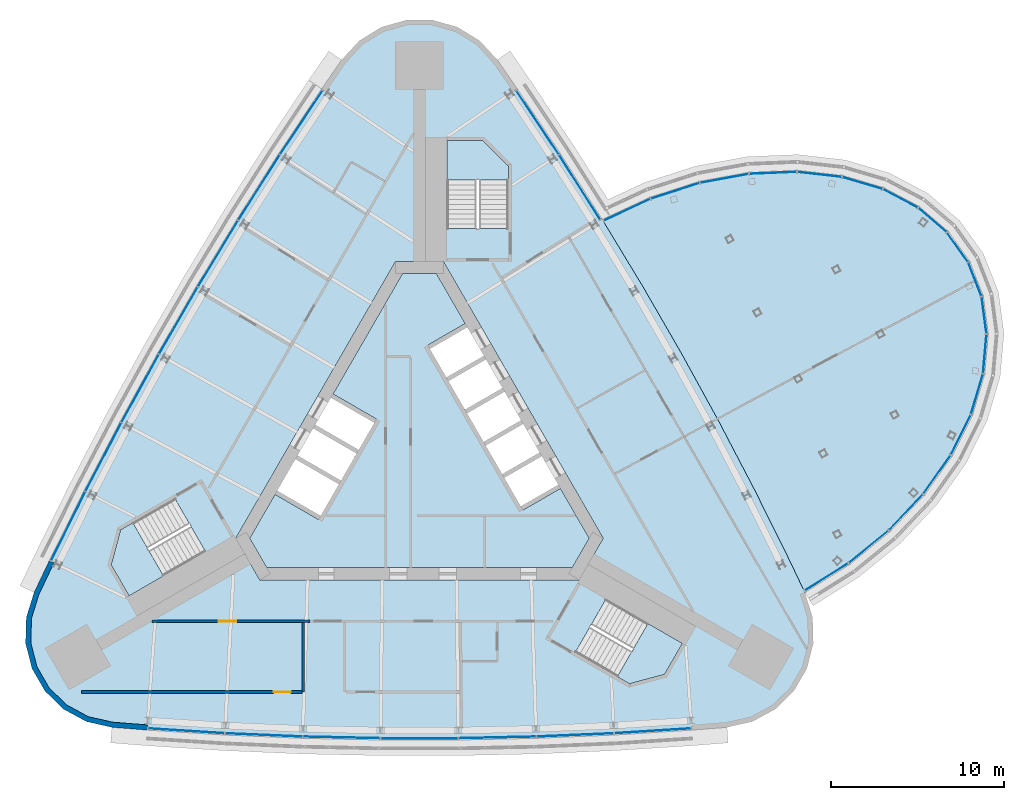
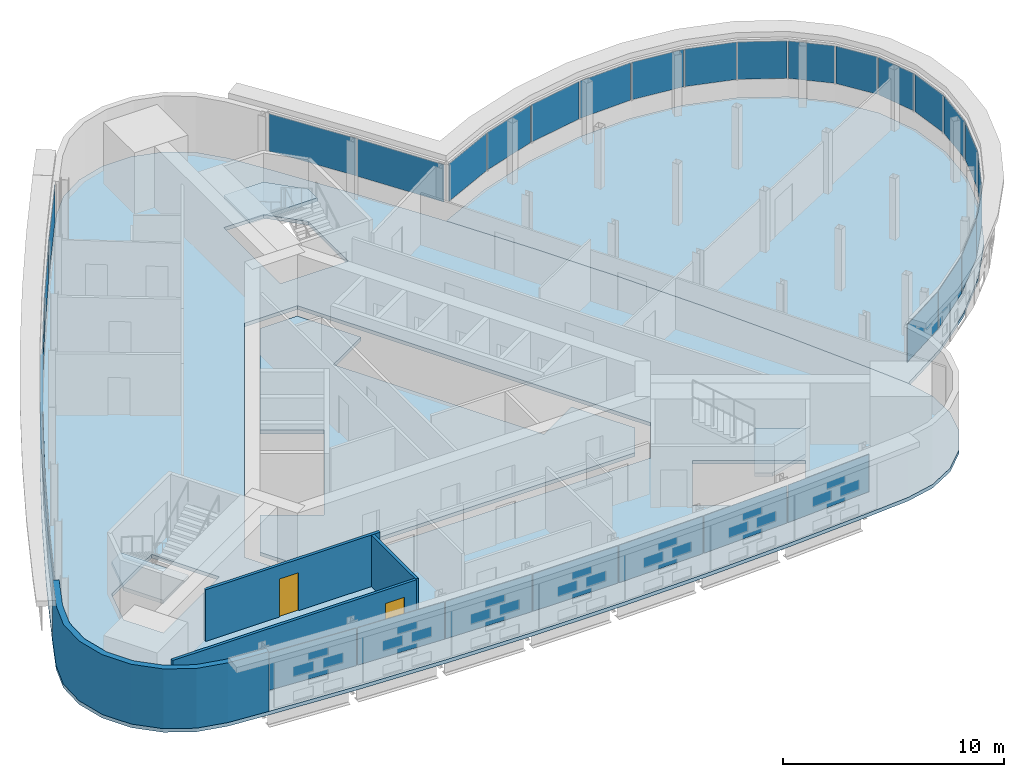
# One storey, part 9 of 15: 34 plates, 6 slabs, 4 walls, 2 doors, 2 openings, 7 elements without a shape of their own.
"""IFC4 building model written with IfcOpenShell, lengths in metres."""

from ifc_helpers import new_model, si_unit, direction, frame, frame_2d, origin, origin_2d, place, context, subcontext, project, spatial, polyline, rectangle, outline, extrude, material, layer, layer_set, type_object, element, fill, aggregate, save


model = new_model("IFC4")

# Units and contexts
model_context = context("Model", 3, precision=1e-05, world=origin(), true_north=direction((0.0, 1.0)))
body_context = subcontext(model_context, "Body", "Model", "MODEL_VIEW")
ifc_project = project(units=[si_unit("LENGTHUNIT", "METRE"), si_unit("AREAUNIT", "SQUARE_METRE"), si_unit("VOLUMEUNIT", "CUBIC_METRE"), si_unit("PLANEANGLEUNIT", "RADIAN"), si_unit("MASSUNIT", "GRAM", prefix="KILO")], contexts=[model_context])

# Site, building, storey
site_placement = place(None, origin())
site = spatial("IfcSite", under=ifc_project, at=site_placement, CompositionType="ELEMENT")
building_placement = place(site_placement, origin())
building = spatial("IfcBuilding", under=site, at=building_placement, Name="Noor Cloister Tower", CompositionType="ELEMENT")
storey_placement = place(building_placement, frame((0.0, 0.0, 174.300048828125)))
storey = spatial("IfcBuildingStorey", under=building, at=storey_placement, Name="L44", CompositionType="ELEMENT", Elevation=174.300048828125)

# Slabs
ifc_material_1 = material(Name="Concrete C40/50", Category="concrete")
ifc_layer_1 = layer(ifc_material_1, 0.199951171875)
ifc_layer_set_1 = layer_set([ifc_layer_1], Name="Core floor slab 200 C40/50")
slab_type_1 = type_object("IfcSlabType", Name="Core floor slab 200 C40/50", PredefinedType="FLOOR", material=ifc_layer_set_1)
slab_1_placement = place(storey_placement, frame((0.0, 0.0, -0.199951171875)))
element("IfcSlab", 1, at=slab_1_placement, inside=storey, type_object=slab_type_1, Name="Core floor L44", PredefinedType="FLOOR", context=body_context, shape_type="SweptSolid", body=[
    extrude(outline(polyline([(2.643798828125, 7.877197265625), (0.9814453125, 10.75634765625), (-0.9814453125, 10.75634765625), (-4.993896484375, 3.806884765625), (-2.482421875, 2.35693359375), (-5.832275390625, -3.4453125), (-8.34375, -1.995361328125), (-9.80615234375, -4.5283203125), (-8.82470703125, -6.228271484375), (8.82470703125, -6.228271484375), (9.80615234375, -4.5283203125), (8.143798828125, -1.64892578125), (5.978759765625, -2.89892578125), (0.478759765625, 6.627197265625), (2.643798828125, 7.877197265625)])), origin(), (0.0, 0.0, 1.0), 0.199951171875),
])
ifc_material_2 = material(Name="Concrete C40/50", Category="concrete")
ifc_layer_2 = layer(ifc_material_2, 0.199951171875)
ifc_layer_set_2 = layer_set([ifc_layer_2], Name="Floor slab 200 C40/50")
slab_type_2 = type_object("IfcSlabType", Name="Floor slab 200 C40/50", PredefinedType="FLOOR", material=ifc_layer_set_2)
slab_2_placement = place(storey_placement, frame((0.0, 0.0, -0.199951171875)))
element("IfcSlab", 2, at=slab_2_placement, inside=storey, type_object=slab_type_2, Name="Floor slab L44", PredefinedType="FLOOR", context=body_context, shape_type="SweptSolid", body=[
    extrude(outline(polyline([(4.496826171875, 23.113037109375), (3.47802734375, 24.2177734375), (2.197509765625, 25.00390625), (0.751220703125, 25.412353515625), (-0.751220703125, 25.412353515625), (-2.197509765625, 25.00390625), (-3.47802734375, 24.2177734375), (-4.496826171875, 23.113037109375), (-5.65234375, 21.43310546875), (-8.145263671875, 17.68701171875), (-10.55810546875, 13.888671875), (-12.89013671875, 10.0400390625), (-15.14013671875, 6.14306640625), (-17.30712890625, 2.19921875), (-19.389892578125, -1.78955078125), (-21.387939453125, -5.821533203125), (-22.264892578125, -7.662353515625), (-22.712158203125, -9.096923828125), (-22.752685546875, -10.598876953125), (-22.38330078125, -12.055419921875), (-21.632080078125, -13.35693359375), (-20.55517578125, -14.405029296875), (-19.234130859375, -15.120849609375), (-17.76806640625, -15.450927734375), (-15.735595703125, -15.611572265625), (-11.24462890625, -15.8974609375), (-6.748779296875, -16.087890625), (-2.25, -16.183349609375), (2.25, -16.183349609375), (6.748779296875, -16.087890625), (11.24462890625, -15.8974609375), (15.735595703125, -15.611572265625), (17.76806640625, -15.450927734375), (19.234130859375, -15.120849609375), (20.55517578125, -14.405029296875), (21.632080078125, -13.35693359375), (22.38330078125, -12.055419921875), (22.752685546875, -10.598876953125), (22.712158203125, -9.096923828125), (22.264892578125, -7.662353515625), (21.387939453125, -5.821533203125), (19.389892578125, -1.78955078125), (17.30712890625, 2.19921875), (15.14013671875, 6.14306640625), (12.89013671875, 10.0400390625), (10.55810546875, 13.888671875), (8.145263671875, 17.68701171875), (5.65234375, 21.43310546875), (4.496826171875, 23.113037109375)]), holes=[polyline([(8.999755859375, -11.126220703125), (12.131591796875, -12.934326171875), (14.1572265625, -12.3916015625), (15.19091796875, -10.601318359375), (10.774658203125, -8.0517578125), (8.999755859375, -11.126220703125)]), polyline([(-17.81005859375, -6.064697265625), (-16.776611328125, -7.85498046875), (-12.3603515625, -5.305419921875), (-14.13525390625, -2.23095703125), (-16.662841796875, -3.690185546875), (-17.267333984375, -4.039306640625), (-17.81005859375, -6.064697265625)]), polyline([(-10.6142578125, -4.5283203125), (-9.228759765625, -6.92822265625), (9.228759765625, -6.92822265625), (10.6142578125, -4.5283203125), (1.3857421875, 11.456298828125), (-1.3857421875, 11.456298828125), (-10.6142578125, -4.5283203125)]), polyline([(3.65283203125, 18.456298828125), (1.585693359375, 18.456298828125), (1.585693359375, 13.35693359375), (5.135498046875, 13.35693359375), (5.135498046875, 16.9736328125), (3.65283203125, 18.456298828125)])]), origin(), (0.0, 0.0, 1.0), 0.199951171875),
])

# Curtain wall, plates
ifc_material_3 = material(Name="Aluminium 6063-T6 anodised", Category="aluminium")
curtain_wall_type_1 = type_object("IfcCurtainWallType", Name="Sky bar curtain wall, lower bars CW2", PredefinedType="NOTDEFINED", material=ifc_material_3)
curtain_wall_1_placement = place(storey_placement, origin())
curtain_wall_1 = element("IfcCurtainWall", 3, at=curtain_wall_1_placement, inside=storey, type_object=curtain_wall_type_1, Name="CW2 L44 NE sky bar run 3", PredefinedType="NOTDEFINED")
ifc_material_4 = material(Name="Clear laminated glass 2 x 8 mm", Category="glass")
ifc_layer_3 = layer(ifc_material_4, 0.028076171875)
ifc_layer_set_3 = layer_set([ifc_layer_3], Name="Glass panel CW2")
plate_type_1 = type_object("IfcPlateType", Name="Glass panel CW2", PredefinedType="CURTAIN_PANEL", material=ifc_layer_set_3)
plate_1_placement = place(storey_placement, frame((23.516845703125, -6.761474609375, 1.08984375), z_axis=(0.0, 0.0, 1.0), x_axis=(0.84786689891, 0.530209130186, 0.0)))
plate_1 = element("IfcPlate", 4, at=plate_1_placement, type_object=plate_type_1, Name="CW2 glass panel 1", PredefinedType="CURTAIN_PANEL", context=body_context, shape_type="SweptSolid", body=[
    extrude(rectangle(XDim=2.938232421875, YDim=0.028076171875, at=origin_2d()), origin(), (0.0, 0.0, 1.0), 2.070068359375),
])
plate_2_placement = place(storey_placement, frame((25.945556640625, -5.024169921875, 1.08984375), z_axis=(0.0, 0.0, 1.0), x_axis=(0.775546572159, 0.63129035666, 0.0)))
plate_2 = element("IfcPlate", 5, at=plate_2_placement, type_object=plate_type_1, Name="CW2 glass panel 2", PredefinedType="CURTAIN_PANEL", context=body_context, shape_type="SweptSolid", body=[
    extrude(rectangle(XDim=2.925048828125, YDim=0.028076171875, at=origin_2d()), origin(), (0.0, 0.0, 1.0), 2.070068359375),
])
plate_3_placement = place(storey_placement, frame((28.09765625, -3.0302734375, 1.08984375), z_axis=(0.0, 0.0, 1.0), x_axis=(0.68700661368, 0.726651163049, 0.0)))
plate_3 = element("IfcPlate", 6, at=plate_3_placement, type_object=plate_type_1, Name="CW2 glass panel 3", PredefinedType="CURTAIN_PANEL", context=body_context, shape_type="SweptSolid", body=[
    extrude(rectangle(XDim=2.834716796875, YDim=0.028076171875, at=origin_2d()), origin(), (0.0, 0.0, 1.0), 2.070068359375),
])
plate_4_placement = place(storey_placement, frame((29.89306640625, -0.849365234375, 1.08984375), z_axis=(0.0, 0.0, 1.0), x_axis=(0.578620922196, 0.815596608868, 0.0)))
plate_4 = element("IfcPlate", 7, at=plate_4_placement, type_object=plate_type_1, Name="CW2 glass panel 4", PredefinedType="CURTAIN_PANEL", context=body_context, shape_type="SweptSolid", body=[
    extrude(rectangle(XDim=2.708251953125, YDim=0.028076171875, at=origin_2d()), origin(), (0.0, 0.0, 1.0), 2.070068359375),
])
plate_5_placement = place(storey_placement, frame((31.27734375, 1.451171875, 1.08984375), z_axis=(0.0, 0.0, 1.0), x_axis=(0.445709448306, 0.895177684982, 0.0)))
plate_5 = element("IfcPlate", 8, at=plate_5_placement, type_object=plate_type_1, Name="CW2 glass panel 5", PredefinedType="CURTAIN_PANEL", context=body_context, shape_type="SweptSolid", body=[
    extrude(rectangle(XDim=2.55712890625, YDim=0.028076171875, at=origin_2d()), origin(), (0.0, 0.0, 1.0), 2.070068359375),
])
plate_6_placement = place(storey_placement, frame((32.208740234375, 3.800537109375, 1.08984375), z_axis=(0.0, 0.0, 1.0), x_axis=(0.283470890203, 0.958980841523, 0.0)))
plate_6 = element("IfcPlate", 9, at=plate_6_placement, type_object=plate_type_1, Name="CW2 glass panel 6", PredefinedType="CURTAIN_PANEL", context=body_context, shape_type="SweptSolid", body=[
    extrude(rectangle(XDim=2.396240234375, YDim=0.028076171875, at=origin_2d()), origin(), (0.0, 0.0, 1.0), 2.070068359375),
])
plate_7_placement = place(storey_placement, frame((32.66015625, 6.126953125, 1.08984375), z_axis=(0.0, 0.0, 1.0), x_axis=(0.089432915774, 0.995992848155, 0.0)))
plate_7 = element("IfcPlate", 10, at=plate_7_placement, type_object=plate_type_1, Name="CW2 glass panel 7", PredefinedType="CURTAIN_PANEL", context=body_context, shape_type="SweptSolid", body=[
    extrude(rectangle(XDim=2.24560546875, YDim=0.028076171875, at=origin_2d()), origin(), (0.0, 0.0, 1.0), 2.070068359375),
])
plate_8_placement = place(storey_placement, frame((32.618896484375, 8.359130859375, 1.08984375), z_axis=(0.0, 0.0, 1.0), x_axis=(-0.131998823771, 0.991249872899, 0.0)))
plate_8 = element("IfcPlate", 11, at=plate_8_placement, type_object=plate_type_1, Name="CW2 glass panel 8", PredefinedType="CURTAIN_PANEL", context=body_context, shape_type="SweptSolid", body=[
    extrude(rectangle(XDim=2.126708984375, YDim=0.028076171875, at=origin_2d()), origin(), (0.0, 0.0, 1.0), 2.070068359375),
])
plate_9_placement = place(storey_placement, frame((32.087646484375, 10.430908203125, 1.08984375), z_axis=(0.0, 0.0, 1.0), x_axis=(-0.364789260282, 0.931090111419, 0.0)))
plate_9 = element("IfcPlate", 12, at=plate_9_placement, type_object=plate_type_1, Name="CW2 glass panel 9", PredefinedType="CURTAIN_PANEL", context=body_context, shape_type="SweptSolid", body=[
    extrude(rectangle(XDim=2.060791015625, YDim=0.028076171875, at=origin_2d()), origin(), (0.0, 0.0, 1.0), 2.070068359375),
])
plate_10_placement = place(storey_placement, frame((31.082763671875, 12.280517578125, 1.08984375), z_axis=(0.0, 0.0, 1.0), x_axis=(-0.582524001804, 0.812813500947, 0.0)))
plate_10 = element("IfcPlate", 13, at=plate_10_placement, type_object=plate_type_1, Name="CW2 glass panel 10", PredefinedType="CURTAIN_PANEL", context=body_context, shape_type="SweptSolid", body=[
    extrude(rectangle(XDim=2.060791015625, YDim=0.028076171875, at=origin_2d()), origin(), (0.0, 0.0, 1.0), 2.070068359375),
])
plate_11_placement = place(storey_placement, frame((29.634033203125, 13.853759765625, 1.08984375), z_axis=(0.0, 0.0, 1.0), x_axis=(-0.759700094363, 0.650273609049, 0.0)))
plate_11 = element("IfcPlate", 14, at=plate_11_placement, type_object=plate_type_1, Name="CW2 glass panel 11", PredefinedType="CURTAIN_PANEL", context=body_context, shape_type="SweptSolid", body=[
    extrude(rectangle(XDim=2.126708984375, YDim=0.028076171875, at=origin_2d()), origin(), (0.0, 0.0, 1.0), 2.070068359375),
])
plate_12_placement = place(storey_placement, frame((27.78369140625, 15.103515625, 1.08984375), z_axis=(0.0, 0.0, 1.0), x_axis=(-0.884205134097, 0.467098791303, 0.0)))
plate_12 = element("IfcPlate", 15, at=plate_12_placement, type_object=plate_type_1, Name="CW2 glass panel 12", PredefinedType="CURTAIN_PANEL", context=body_context, shape_type="SweptSolid", body=[
    extrude(rectangle(XDim=2.24560546875, YDim=0.028076171875, at=origin_2d()), origin(), (0.0, 0.0, 1.0), 2.070068359375),
])
plate_13_placement = place(storey_placement, frame((25.586669921875, 15.9912109375, 1.08984375), z_axis=(0.0, 0.0, 1.0), x_axis=(-0.958771871312, 0.284176879393, 0.0)))
plate_13 = element("IfcPlate", 16, at=plate_13_placement, type_object=plate_type_1, Name="CW2 glass panel 13", PredefinedType="CURTAIN_PANEL", context=body_context, shape_type="SweptSolid", body=[
    extrude(rectangle(XDim=2.396240234375, YDim=0.028076171875, at=origin_2d()), origin(), (0.0, 0.0, 1.0), 2.070068359375),
])
plate_14_placement = place(storey_placement, frame((23.108642578125, 16.488525390625, 1.08984375), z_axis=(0.0, 0.0, 1.0), x_axis=(-0.993555280194, 0.11334860034, 0.0)))
plate_14 = element("IfcPlate", 17, at=plate_14_placement, type_object=plate_type_1, Name="CW2 glass panel 14", PredefinedType="CURTAIN_PANEL", context=body_context, shape_type="SweptSolid", body=[
    extrude(rectangle(XDim=2.55712890625, YDim=0.028076171875, at=origin_2d()), origin(), (0.0, 0.0, 1.0), 2.070068359375),
])
plate_15_placement = place(storey_placement, frame((20.425537109375, 16.57958984375, 1.08984375), z_axis=(0.0, 0.0, 1.0), x_axis=(-0.999139934485, -0.041465543728, 0.0)))
plate_15 = element("IfcPlate", 18, at=plate_15_placement, type_object=plate_type_1, Name="CW2 glass panel 15", PredefinedType="CURTAIN_PANEL", context=body_context, shape_type="SweptSolid", body=[
    extrude(rectangle(XDim=2.708251953125, YDim=0.028076171875, at=origin_2d()), origin(), (0.0, 0.0, 1.0), 2.070068359375),
])
plate_16_placement = place(storey_placement, frame((17.61865234375, 16.26025390625, 1.08984375), z_axis=(0.0, 0.0, 1.0), x_axis=(-0.983519444247, -0.180802386011, 0.0)))
plate_16 = element("IfcPlate", 19, at=plate_16_placement, type_object=plate_type_1, Name="CW2 glass panel 16", PredefinedType="CURTAIN_PANEL", context=body_context, shape_type="SweptSolid", body=[
    extrude(rectangle(XDim=2.834716796875, YDim=0.028076171875, at=origin_2d()), origin(), (0.0, 0.0, 1.0), 2.070068359375),
])
plate_17_placement = place(storey_placement, frame((14.774658203125, 15.54052734375, 1.08984375), z_axis=(0.0, 0.0, 1.0), x_axis=(-0.951715077385, -0.306982754367, 0.0)))
plate_17 = element("IfcPlate", 20, at=plate_17_placement, type_object=plate_type_1, Name="CW2 glass panel 17", PredefinedType="CURTAIN_PANEL", context=body_context, shape_type="SweptSolid", body=[
    extrude(rectangle(XDim=2.925048828125, YDim=0.028076171875, at=origin_2d()), origin(), (0.0, 0.0, 1.0), 2.070068359375),
])
plate_18_placement = place(storey_placement, frame((11.995361328125, 14.448486328125, 1.08984375), z_axis=(0.0, 0.0, 1.0), x_axis=(-0.906283503485, -0.42267033408, 0.0)))
plate_18 = element("IfcPlate", 21, at=plate_18_placement, type_object=plate_type_1, Name="CW2 glass panel 18", PredefinedType="CURTAIN_PANEL", context=body_context, shape_type="SweptSolid", body=[
    extrude(rectangle(XDim=2.938232421875, YDim=0.028076171875, at=origin_2d()), origin(), (0.0, 0.0, 1.0), 2.070068359375),
])
aggregate(curtain_wall_1, [plate_1, plate_2, plate_3, plate_4, plate_5, plate_6, plate_7, plate_8, plate_9, plate_10, plate_11, plate_12, plate_13, plate_14, plate_15, plate_16, plate_17, plate_18])

ifc_material_5 = material(Name="Aluminium 6063-T6 anodised", Category="aluminium")
curtain_wall_type_2 = type_object("IfcCurtainWallType", Name="Ribbon curtain wall, upper tower CW5", PredefinedType="NOTDEFINED", material=ifc_material_5)
curtain_wall_2_placement = place(storey_placement, origin())
curtain_wall_2 = element("IfcCurtainWall", 22, at=curtain_wall_2_placement, inside=storey, type_object=curtain_wall_type_2, Name="CW5 L44 NW run 1", PredefinedType="NOTDEFINED")
ifc_material_6 = material(Name="Clear laminated glass 2 x 8 mm", Category="glass")
ifc_layer_4 = layer(ifc_material_6, 0.028076171875)
ifc_layer_set_4 = layer_set([ifc_layer_4], Name="Glass panel CW5")
plate_type_2 = type_object("IfcPlateType", Name="Glass panel CW5", PredefinedType="CURTAIN_PANEL", material=ifc_layer_set_4)
plate_19_placement = place(storey_placement, frame((-6.824951171875, 19.490478515625, 1.08984375), z_axis=(0.0, 0.0, 1.0), x_axis=(-0.553985210309, -0.832526508142, 0.0)))
plate_19 = element("IfcPlate", 23, at=plate_19_placement, type_object=plate_type_2, Name="CW5 glass panel 1", PredefinedType="CURTAIN_PANEL", context=body_context, shape_type="SweptSolid", body=[
    extrude(rectangle(XDim=4.413818359375, YDim=0.028076171875, at=origin_2d()), origin(), (0.0, 0.0, 1.0), 2.070068359375),
])
plate_20_placement = place(storey_placement, frame((-9.267333984375, 15.734130859375, 1.08984375), z_axis=(0.0, 0.0, 1.0), x_axis=(-0.536228033426, -0.844073158066, 0.0)))
plate_20 = element("IfcPlate", 24, at=plate_20_placement, type_object=plate_type_2, Name="CW5 glass panel 2", PredefinedType="CURTAIN_PANEL", context=body_context, shape_type="SweptSolid", body=[
    extrude(rectangle(XDim=4.44775390625, YDim=0.028076171875, at=origin_2d()), origin(), (0.0, 0.0, 1.0), 2.070068359375),
])
plate_21_placement = place(storey_placement, frame((-11.638671875, 11.91259765625, 1.08984375), z_axis=(0.0, 0.0, 1.0), x_axis=(-0.518230266954, -0.855241129982, 0.0)))
plate_21 = element("IfcPlate", 25, at=plate_21_placement, type_object=plate_type_2, Name="CW5 glass panel 3", PredefinedType="CURTAIN_PANEL", context=body_context, shape_type="SweptSolid", body=[
    extrude(rectangle(XDim=4.44775390625, YDim=0.028076171875, at=origin_2d()), origin(), (0.0, 0.0, 1.0), 2.070068359375),
])
plate_22_placement = place(storey_placement, frame((-13.928466796875, 8.041748046875, 1.08984375), z_axis=(0.0, 0.0, 1.0), x_axis=(-0.5, -0.866025403784, 0.0)))
plate_22 = element("IfcPlate", 26, at=plate_22_placement, type_object=plate_type_2, Name="CW5 glass panel 4", PredefinedType="CURTAIN_PANEL", context=body_context, shape_type="SweptSolid", body=[
    extrude(rectangle(XDim=4.44775390625, YDim=0.028076171875, at=origin_2d()), origin(), (0.0, 0.0, 1.0), 2.070068359375),
])
plate_23_placement = place(storey_placement, frame((-16.135986328125, 4.123046875, 1.08984375), z_axis=(0.0, 0.0, 1.0), x_axis=(-0.481545411448, -0.876421141183, 0.0)))
plate_23 = element("IfcPlate", 27, at=plate_23_placement, type_object=plate_type_2, Name="CW5 glass panel 5", PredefinedType="CURTAIN_PANEL", context=body_context, shape_type="SweptSolid", body=[
    extrude(rectangle(XDim=4.44775390625, YDim=0.028076171875, at=origin_2d()), origin(), (0.0, 0.0, 1.0), 2.070068359375),
])
plate_24_placement = place(storey_placement, frame((-18.259765625, 0.15869140625, 1.08984375), z_axis=(0.0, 0.0, 1.0), x_axis=(-0.462874780825, -0.886423678201, 0.0)))
plate_24 = element("IfcPlate", 28, at=plate_24_placement, type_object=plate_type_2, Name="CW5 glass panel 6", PredefinedType="CURTAIN_PANEL", context=body_context, shape_type="SweptSolid", body=[
    extrude(rectangle(XDim=4.44775390625, YDim=0.028076171875, at=origin_2d()), origin(), (0.0, 0.0, 1.0), 2.070068359375),
])
plate_25_placement = place(storey_placement, frame((-20.291748046875, -3.834716796875, 1.08984375), z_axis=(0.0, 0.0, 1.0), x_axis=(-0.44399650022, -0.89602851952, 0.0)))
plate_25 = element("IfcPlate", 29, at=plate_25_placement, type_object=plate_type_2, Name="CW5 glass panel 7", PredefinedType="CURTAIN_PANEL", context=body_context, shape_type="SweptSolid", body=[
    extrude(rectangle(XDim=4.413818359375, YDim=0.028076171875, at=origin_2d()), origin(), (0.0, 0.0, 1.0), 2.070068359375),
])
aggregate(curtain_wall_2, [plate_19, plate_20, plate_21, plate_22, plate_23, plate_24, plate_25])

curtain_wall_3_placement = place(storey_placement, origin())
curtain_wall_3 = element("IfcCurtainWall", 30, at=curtain_wall_3_placement, inside=storey, type_object=curtain_wall_type_2, Name="CW5 L44 S run 2", PredefinedType="NOTDEFINED")
plate_26_placement = place(storey_placement, frame((-13.466796875, -15.65576171875, 1.08984375), z_axis=(0.0, 0.0, 1.0), x_axis=(0.997981710529, -0.063502011378, 0.0)))
plate_26 = element("IfcPlate", 31, at=plate_26_placement, type_object=plate_type_2, Name="CW5 glass panel 1", PredefinedType="CURTAIN_PANEL", context=body_context, shape_type="SweptSolid", body=[
    extrude(rectangle(XDim=4.413818359375, YDim=0.028076171875, at=origin_2d()), origin(), (0.0, 0.0, 1.0), 2.070068359375),
])
plate_27_placement = place(storey_placement, frame((-8.99267578125, -15.892822265625, 1.08984375), z_axis=(0.0, 0.0, 1.0), x_axis=(0.999102814251, -0.042350520135, 0.0)))
plate_27 = element("IfcPlate", 32, at=plate_27_placement, type_object=plate_type_2, Name="CW5 glass panel 2", PredefinedType="CURTAIN_PANEL", context=body_context, shape_type="SweptSolid", body=[
    extrude(rectangle(XDim=4.44775390625, YDim=0.028076171875, at=origin_2d()), origin(), (0.0, 0.0, 1.0), 2.070068359375),
])
plate_28_placement = place(storey_placement, frame((-4.497314453125, -16.03564453125, 1.08984375), z_axis=(0.0, 0.0, 1.0), x_axis=(0.999775678403, -0.021180011201, 0.0)))
plate_28 = element("IfcPlate", 33, at=plate_28_placement, type_object=plate_type_2, Name="CW5 glass panel 3", PredefinedType="CURTAIN_PANEL", context=body_context, shape_type="SweptSolid", body=[
    extrude(rectangle(XDim=4.44775390625, YDim=0.028076171875, at=origin_2d()), origin(), (0.0, 0.0, 1.0), 2.070068359375),
])
plate_29_placement = place(storey_placement, frame((0.0, -16.083251953125, 1.08984375), z_axis=(0.0, 0.0, 1.0), x_axis=(1.0, 0.0, 0.0)))
plate_29 = element("IfcPlate", 34, at=plate_29_placement, type_object=plate_type_2, Name="CW5 glass panel 4", PredefinedType="CURTAIN_PANEL", context=body_context, shape_type="SweptSolid", body=[
    extrude(rectangle(XDim=4.44775390625, YDim=0.028076171875, at=origin_2d()), origin(), (0.0, 0.0, 1.0), 2.070068359375),
])
plate_30_placement = place(storey_placement, frame((4.497314453125, -16.03564453125, 1.08984375), z_axis=(0.0, 0.0, 1.0), x_axis=(0.999775678403, 0.021180011201, 0.0)))
plate_30 = element("IfcPlate", 35, at=plate_30_placement, type_object=plate_type_2, Name="CW5 glass panel 5", PredefinedType="CURTAIN_PANEL", context=body_context, shape_type="SweptSolid", body=[
    extrude(rectangle(XDim=4.44775390625, YDim=0.028076171875, at=origin_2d()), origin(), (0.0, 0.0, 1.0), 2.070068359375),
])
plate_31_placement = place(storey_placement, frame((8.99267578125, -15.892822265625, 1.08984375), z_axis=(0.0, 0.0, 1.0), x_axis=(0.999102814251, 0.042350520135, 0.0)))
plate_31 = element("IfcPlate", 36, at=plate_31_placement, type_object=plate_type_2, Name="CW5 glass panel 6", PredefinedType="CURTAIN_PANEL", context=body_context, shape_type="SweptSolid", body=[
    extrude(rectangle(XDim=4.44775390625, YDim=0.028076171875, at=origin_2d()), origin(), (0.0, 0.0, 1.0), 2.070068359375),
])
plate_32_placement = place(storey_placement, frame((13.466796875, -15.65576171875, 1.08984375), z_axis=(0.0, 0.0, 1.0), x_axis=(0.997981710529, 0.063502011378, 0.0)))
plate_32 = element("IfcPlate", 37, at=plate_32_placement, type_object=plate_type_2, Name="CW5 glass panel 7", PredefinedType="CURTAIN_PANEL", context=body_context, shape_type="SweptSolid", body=[
    extrude(rectangle(XDim=4.413818359375, YDim=0.028076171875, at=origin_2d()), origin(), (0.0, 0.0, 1.0), 2.070068359375),
])
aggregate(curtain_wall_3, [plate_26, plate_27, plate_28, plate_29, plate_30, plate_31, plate_32])

curtain_wall_4_placement = place(storey_placement, origin())
curtain_wall_4 = element("IfcCurtainWall", 38, at=curtain_wall_4_placement, inside=storey, type_object=curtain_wall_type_2, Name="CW5 L44 NE run 4", PredefinedType="NOTDEFINED")
plate_33_placement = place(storey_placement, frame((9.258056640625, 15.74853515625, 1.08984375), z_axis=(0.0, 0.0, 1.0), x_axis=(-0.536228033426, 0.844073158066, 0.0)))
plate_33 = element("IfcPlate", 39, at=plate_33_placement, type_object=plate_type_2, Name="CW5 glass panel 1", PredefinedType="CURTAIN_PANEL", context=body_context, shape_type="SweptSolid", body=[
    extrude(rectangle(XDim=4.413818359375, YDim=0.028076171875, at=origin_2d()), origin(), (0.0, 0.0, 1.0), 2.070068359375),
])
plate_34_placement = place(storey_placement, frame((6.824951171875, 19.490478515625, 1.08984375), z_axis=(0.0, 0.0, 1.0), x_axis=(-0.553985210309, 0.832526508142, 0.0)))
plate_34 = element("IfcPlate", 40, at=plate_34_placement, type_object=plate_type_2, Name="CW5 glass panel 2", PredefinedType="CURTAIN_PANEL", context=body_context, shape_type="SweptSolid", body=[
    extrude(rectangle(XDim=4.413818359375, YDim=0.028076171875, at=origin_2d()), origin(), (0.0, 0.0, 1.0), 2.070068359375),
])
aggregate(curtain_wall_4, [plate_33, plate_34])

# Slab
ifc_material_7 = material(Name="Concrete C40/50", Category="concrete")
ifc_layer_5 = layer(ifc_material_7, 0.199951171875)
ifc_layer_set_5 = layer_set([ifc_layer_5], Name="Pod floor slab 200")
slab_type_3 = type_object("IfcSlabType", Name="Pod floor slab 200", PredefinedType="FLOOR", material=ifc_layer_set_5)
slab_3_placement = place(storey_placement, frame((0.0, 0.0, -0.199951171875)))
element("IfcSlab", 41, at=slab_3_placement, inside=storey, type_object=slab_type_3, Name="Pod floor slab L44", PredefinedType="FLOOR", context=body_context, shape_type="SweptSolid", body=[
    extrude(outline(polyline([(22.264892578125, -7.662353515625), (24.84619140625, -6.048095703125), (27.17138671875, -4.155517578125), (29.16943359375, -2.0419921875), (30.780029296875, 0.22802734375), (31.953857421875, 2.5859375), (32.65576171875, 4.959716796875), (32.86376953125, 7.27734375), (32.572021484375, 9.468505859375), (31.7890625, 11.466552734375), (30.5390625, 13.210693359375), (28.85986328125, 14.648193359375), (26.80224609375, 15.735107421875), (24.428955078125, 16.4384765625), (21.81201171875, 16.737060546875), (19.03125, 16.62158203125), (16.170654296875, 16.095947265625), (13.3173828125, 15.175537109375), (10.55810546875, 13.888671875), (12.89013671875, 10.0400390625), (15.14013671875, 6.14306640625), (17.30712890625, 2.19921875), (19.389892578125, -1.78955078125), (21.387939453125, -5.821533203125), (22.264892578125, -7.662353515625)])), origin(), (0.0, 0.0, 1.0), 0.199951171875),
])

# Stair, slab
ifc_material_8 = material(Name="Concrete C40/50", Category="concrete")
stair_type = type_object("IfcStairType", Name="Exit stair 22 risers", PredefinedType="HALF_TURN_STAIR", material=ifc_material_8)
stair_1_placement = place(storey_placement, origin())
stair_1 = element("IfcStair", 42, at=stair_1_placement, inside=storey, type_object=stair_type, Name="Exit stair ST1 L44", PredefinedType="HALF_TURN_STAIR")
ifc_material_9 = material(Name="Concrete C40/50", Category="concrete")
ifc_layer_6 = layer(ifc_material_9, 0.199951171875)
ifc_layer_set_6 = layer_set([ifc_layer_6], Name="Stair landing 200 C40/50")
slab_type_4 = type_object("IfcSlabType", Name="Stair landing 200 C40/50", PredefinedType="LANDING", material=ifc_layer_set_6)
slab_4_placement = place(storey_placement, frame((0.0, 0.0, 1.599853515625)))
slab_4 = element("IfcSlab", 43, at=slab_4_placement, type_object=slab_type_4, Name="ST1 landing 1", PredefinedType="LANDING", context=body_context, shape_type="SweptSolid", body=[
    extrude(outline(polyline([(5.135498046875, 16.15576171875), (5.135498046875, 16.9736328125), (3.65283203125, 18.456298828125), (1.585693359375, 18.456298828125), (1.585693359375, 16.15576171875), (5.135498046875, 16.15576171875)])), origin(), (0.0, 0.0, 1.0), 0.2001953125),
])
aggregate(stair_1, [slab_4])

stair_2_placement = place(storey_placement, origin())
stair_2 = element("IfcStair", 44, at=stair_2_placement, inside=storey, type_object=stair_type, Name="Exit stair ST2 L44", PredefinedType="HALF_TURN_STAIR")
slab_5_placement = place(storey_placement, frame((0.0, 0.0, 1.599853515625)))
slab_5 = element("IfcSlab", 45, at=slab_5_placement, type_object=slab_type_4, Name="ST2 landing 1", PredefinedType="LANDING", context=body_context, shape_type="SweptSolid", body=[
    extrude(outline(polyline([(-16.55908203125, -3.63037109375), (-17.267333984375, -4.039306640625), (-17.81005859375, -6.064697265625), (-16.776611328125, -7.85498046875), (-14.7841796875, -6.70458984375), (-16.55908203125, -3.63037109375)])), origin(), (0.0, 0.0, 1.0), 0.2001953125),
])
aggregate(stair_2, [slab_5])

stair_3_placement = place(storey_placement, origin())
stair_3 = element("IfcStair", 46, at=stair_3_placement, inside=storey, type_object=stair_type, Name="Exit stair ST3 L44", PredefinedType="HALF_TURN_STAIR")
slab_6_placement = place(storey_placement, frame((0.0, 0.0, 1.599853515625)))
slab_6 = element("IfcSlab", 47, at=slab_6_placement, type_object=slab_type_4, Name="ST3 landing 1", PredefinedType="LANDING", context=body_context, shape_type="SweptSolid", body=[
    extrude(outline(polyline([(11.423583984375, -12.525390625), (12.131591796875, -12.934326171875), (14.1572265625, -12.3916015625), (15.19091796875, -10.601318359375), (13.198486328125, -9.451171875), (11.423583984375, -12.525390625)])), origin(), (0.0, 0.0, 1.0), 0.2001953125),
])
aggregate(stair_3, [slab_6])

# Wall, opening, door
ifc_material_10 = material(Name="Gypsum board partition on steel studs, 150 mm", Category="steel")
ifc_layer_7 = layer(ifc_material_10, 0.14990234375)
ifc_layer_set_7 = layer_set([ifc_layer_7], Name="Flat wall 150")
wall_type_1 = type_object("IfcWallType", Name="Flat wall 150", PredefinedType="PARTITIONING", material=ifc_layer_set_7)
wall_1_placement = place(storey_placement, frame((-15.45703125, -9.328125, 0.0), z_axis=(0.0, 0.0, 1.0), x_axis=(1.0, 0.0, 0.0)))
wall_1 = element("IfcWall", 48, at=wall_1_placement, inside=storey, type_object=wall_type_1, Name="Wall L44-W08", PredefinedType="PARTITIONING", context=body_context, shape_type="SweptSolid", body=[
    extrude(rectangle(XDim=9.123046875, YDim=0.14990234375, at=frame_2d((4.5615234375, 0.0))), origin(), (0.0, 0.0, 1.0), 2.846923828125),
])
opening_1_placement = place(wall_1_placement, frame((3.866943359375, 0.0, 0.0)))
opening_1 = element("IfcOpeningElement", 49, at=opening_1_placement, cuts=wall_1, Name="Opening L44-010", PredefinedType="OPENING", context=body_context, shape_type="SweptSolid", body=[
    extrude(rectangle(XDim=1.0, YDim=2.10009765625, at=frame_2d((0.5, 1.050048828125))), frame((0.0, 0.0849609375, 0.0), z_axis=(0.0, -1.0, 0.0), x_axis=(1.0, 0.0, 0.0)), (0.0, 0.0, 1.0), 0.169921875),
])
ifc_material_11 = material(Name="Timber door leaf with steel frame", Category="steel")
door_type = type_object("IfcDoorType", Name="Interior door 1000 FD60", OperationType="NOTDEFINED", PredefinedType="DOOR", material=ifc_material_11)
door_1_placement = place(opening_1_placement, origin())
door_1 = element("IfcDoor", 50, at=door_1_placement, inside=storey, type_object=door_type, Name="Door L44-010", OperationType="SINGLE_SWING_RIGHT", OverallHeight=2.10009765625, OverallWidth=1.0, PredefinedType="DOOR", context=body_context, shape_type="SweptSolid", body=[
    extrude(rectangle(XDim=1.0, YDim=2.10009765625, at=frame_2d((0.5, 1.050048828125))), frame((0.0, 0.02490234375, 0.0), z_axis=(0.0, -1.0, 0.0), x_axis=(1.0, 0.0, 0.0)), (0.0, 0.0, 1.0), 0.050048828125),
])
fill(opening_1, door_1)

# Wall
wall_2_placement = place(storey_placement, frame((-6.72314453125, -9.4033203125, 0.0), z_axis=(0.0, 0.0, 1.0), x_axis=(0.0, -1.0, 0.0)))
element("IfcWall", 51, at=wall_2_placement, inside=storey, type_object=wall_type_1, Name="Wall L44-W12", PredefinedType="PARTITIONING", context=body_context, shape_type="SweptSolid", body=[
    extrude(rectangle(XDim=4.004638671875, YDim=0.14990234375, at=frame_2d((2.00244140625, 0.0))), origin(), (0.0, 0.0, 1.0), 2.846923828125),
])

# Wall, opening, door
wall_3_placement = place(storey_placement, frame((-19.523193359375, -13.407958984375, 0.0), z_axis=(0.0, 0.0, 1.0), x_axis=(1.0, 0.0, 0.0)))
wall_3 = element("IfcWall", 52, at=wall_3_placement, inside=storey, type_object=wall_type_1, Name="Wall L44-W14", PredefinedType="PARTITIONING", context=body_context, shape_type="SweptSolid", body=[
    extrude(rectangle(XDim=12.72509765625, YDim=0.14990234375, at=frame_2d((6.362548828125, 0.0))), origin(), (0.0, 0.0, 1.0), 2.846923828125),
])
opening_2_placement = place(wall_3_placement, frame((11.100341796875, 0.0, 0.0)))
opening_2 = element("IfcOpeningElement", 53, at=opening_2_placement, cuts=wall_3, Name="Opening L44-009", PredefinedType="OPENING", context=body_context, shape_type="SweptSolid", body=[
    extrude(rectangle(XDim=1.0, YDim=2.10009765625, at=frame_2d((0.5, 1.050048828125))), frame((0.0, 0.0849609375, 0.0), z_axis=(0.0, -1.0, 0.0), x_axis=(1.0, 0.0, 0.0)), (0.0, 0.0, 1.0), 0.169921875),
])
door_2_placement = place(opening_2_placement, origin())
door_2 = element("IfcDoor", 54, at=door_2_placement, inside=storey, type_object=door_type, Name="Door L44-009", OperationType="SINGLE_SWING_LEFT", OverallHeight=2.10009765625, OverallWidth=1.0, PredefinedType="DOOR", context=body_context, shape_type="SweptSolid", body=[
    extrude(rectangle(XDim=1.0, YDim=2.10009765625, at=frame_2d((0.5, 1.050048828125))), frame((0.0, 0.02490234375, 0.0), z_axis=(0.0, -1.0, 0.0), x_axis=(1.0, 0.0, 0.0)), (0.0, 0.0, 1.0), 0.050048828125),
])
fill(opening_2, door_2)

# Wall
ifc_material_12 = material(Name="Limestone", Category="masonry")
ifc_layer_8 = layer(ifc_material_12, 0.300048828125)
ifc_layer_set_8 = layer_set([ifc_layer_8], Name="Limestone cladding 300")
wall_type_2 = type_object("IfcWallType", Name="Limestone cladding 300", PredefinedType="NOTDEFINED", material=ifc_layer_set_8)
wall_4_placement = place(storey_placement, origin())
element("IfcWall", 55, at=wall_4_placement, inside=storey, type_object=wall_type_2, Name="Limestone pier cladding L44 1.1", PredefinedType="NOTDEFINED", context=body_context, shape_type="SweptSolid", body=[
    extrude(outline(polyline([(-21.387939453125, -5.821533203125), (-22.264892578125, -7.662353515625), (-22.712158203125, -9.096923828125), (-22.752685546875, -10.598876953125), (-22.38330078125, -12.055419921875), (-21.632080078125, -13.35693359375), (-20.55517578125, -14.405029296875), (-19.234130859375, -15.120849609375), (-17.76806640625, -15.450927734375), (-15.735595703125, -15.611572265625), (-15.7119140625, -15.3125), (-17.72314453125, -15.153564453125), (-19.127685546875, -14.83740234375), (-20.375732421875, -14.160888671875), (-21.39306640625, -13.1708984375), (-22.102783203125, -11.94140625), (-22.45166015625, -10.5654296875), (-22.413330078125, -9.146484375), (-21.98486328125, -7.77197265625), (-21.116943359375, -5.95068359375), (-21.387939453125, -5.821533203125)])), origin(), (0.0, 0.0, 1.0), 3.300048828125),
])

save(model, "model.ifc")
